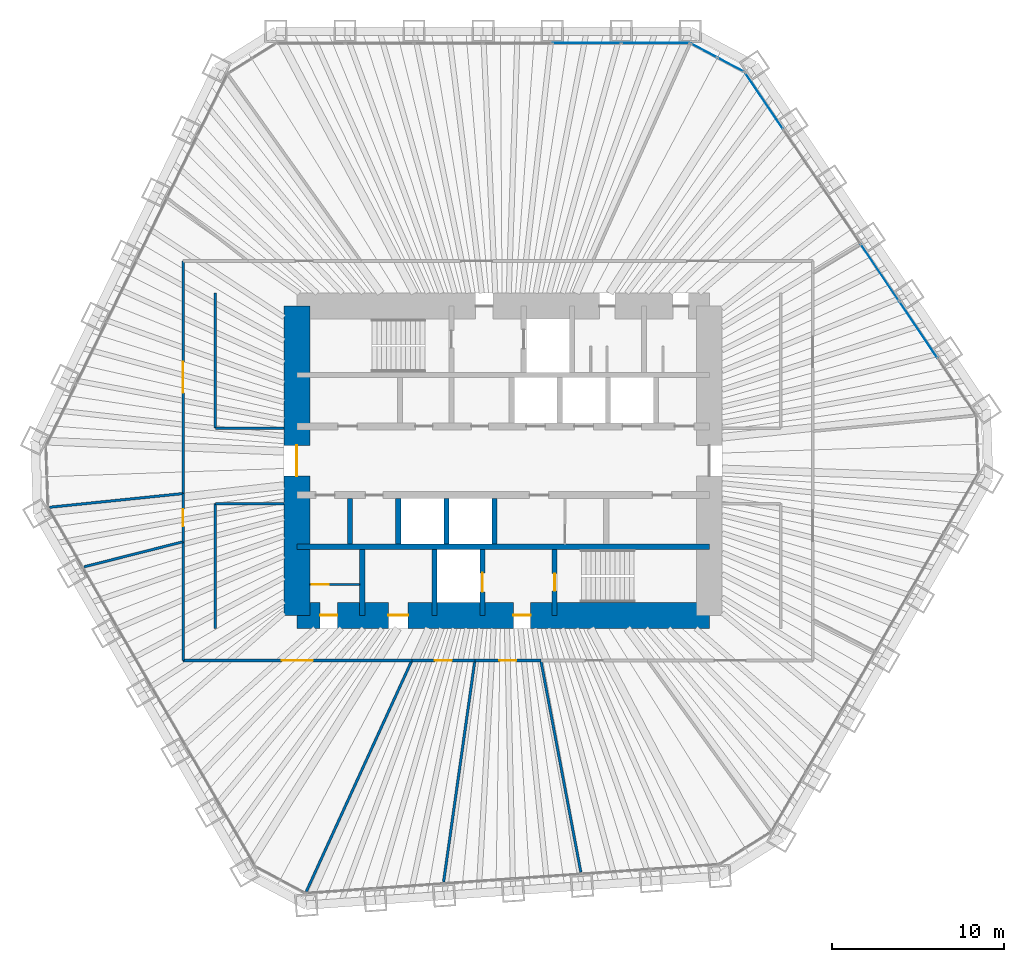
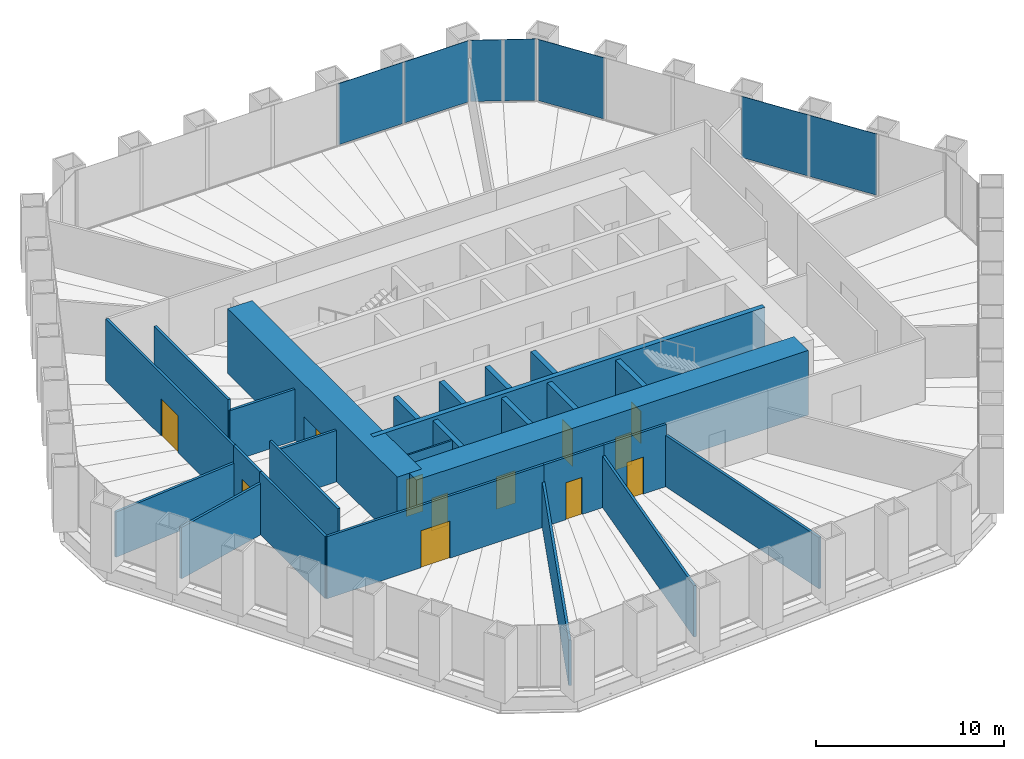
# One storey, part 10 of 13: 27 walls, 12 doors, 7 plates, 12 openings, 3 elements without a shape of their own.
"""IFC4 building model written with IfcOpenShell, lengths in metres."""

import ifcopenshell
import ifcopenshell.guid

model = None  # the IFC model being written
_history = None  # IfcOwnerHistory: only IFC2X3 demands one
_inside = {}  # id of a spatial element -> (the spatial element, [elements in it])
_under = {}  # id of a project, library or spatial element -> (it, [spatial elements below it])
_declared = {}  # id of a project -> (the project, [libraries it declares])
_typed = {}  # id of a type object -> (the type object, [elements of that type])
_made_of = {}  # id of a material, layer set ... -> (it, [elements and type objects made of it])


def new_model(schema):
    """Start an empty IFC model of exactly this schema.

    Asked for "IFC4X3", IfcOpenShell would pick the latest addendum, in which some entities
    have other attributes; the version numbers below select the first issue.
    IFC2X3 requires an IfcOwnerHistory on every rooted entity: one is made here for all.
    """
    global model, _history
    if schema == "IFC4X3":
        model = ifcopenshell.file(schema_version=(4, 3, 0, 0))
    else:
        model = ifcopenshell.file(schema=schema)
    _inside.clear()
    _under.clear()
    _declared.clear()
    _typed.clear()
    _made_of.clear()
    _history = None
    if model.schema == "IFC2X3":
        org = make("IfcOrganization", Name="unknown")
        user = make(
            "IfcPersonAndOrganization",
            ThePerson=make("IfcPerson", FamilyName="unknown"),
            TheOrganization=org,
        )
        app = make(
            "IfcApplication",
            ApplicationDeveloper=org,
            Version="unknown",
            ApplicationFullName="unknown",
            ApplicationIdentifier="unknown",
        )
        _history = make(
            "IfcOwnerHistory",
            OwningUser=user,
            OwningApplication=app,
            ChangeAction="ADDED",
            CreationDate=0,
        )
    return model


def make(cls, **values):
    """One entity of the class cls with the attributes given. An attribute that is None is left unset."""
    return model.create_entity(
        cls, **{name: value for name, value in values.items() if value is not None}
    )


def rooted(cls, **values):
    """An entity with a GlobalId (a new one), such as an element, a storey or a relation."""
    return make(cls, GlobalId=ifcopenshell.guid.new(), OwnerHistory=_history, **values)


def si_unit(unit_type, name, prefix=None):
    """IfcSIUnit, for example si_unit("LENGTHUNIT", "METRE", prefix="MILLI")."""
    return make("IfcSIUnit", UnitType=unit_type, Prefix=prefix, Name=name)


def assignment(units):
    """IfcUnitAssignment: the units of a project."""
    return None if units is None else make("IfcUnitAssignment", Units=units)


def point(xyz):
    """IfcCartesianPoint."""
    return None if xyz is None else make("IfcCartesianPoint", Coordinates=xyz)


def direction(xyz):
    """IfcDirection."""
    return None if xyz is None else make("IfcDirection", DirectionRatios=xyz)


def frame(location, z_axis=None, x_axis=None):
    """IfcAxis2Placement3D, a coordinate frame: its origin and axes. An axis left out is left unset."""
    return make(
        "IfcAxis2Placement3D",
        Location=point(location),
        Axis=direction(z_axis),
        RefDirection=direction(x_axis),
    )


def frame_2d(location, x_axis=None):
    """IfcAxis2Placement2D, a coordinate frame in the plane: its origin and x axis."""
    return make(
        "IfcAxis2Placement2D", Location=point(location), RefDirection=direction(x_axis)
    )


def origin():
    """The frame at (0, 0, 0) with its axes left unset."""
    return frame((0.0, 0.0, 0.0))


def origin_2d():
    """The frame at (0, 0) in the plane with its x axis left unset."""
    return frame_2d((0.0, 0.0))


def place(relative_to, where):
    """IfcLocalPlacement: puts the frame where relative to a parent placement (None: the world)."""
    return make(
        "IfcLocalPlacement", PlacementRelTo=relative_to, RelativePlacement=where
    )


def context(
    kind, dimensions, precision=None, world=None, true_north=None, identifier=None
):
    """IfcGeometricRepresentationContext, for example the 3D "Model" context."""
    return make(
        "IfcGeometricRepresentationContext",
        ContextIdentifier=identifier,
        ContextType=kind,
        CoordinateSpaceDimension=dimensions,
        Precision=precision,
        WorldCoordinateSystem=world,
        TrueNorth=true_north,
    )


def subcontext(parent, identifier, kind, view, scale=None):
    """IfcGeometricRepresentationSubContext, for example "Body" below "Model"."""
    return make(
        "IfcGeometricRepresentationSubContext",
        ContextIdentifier=identifier,
        ContextType=kind,
        ParentContext=parent,
        TargetScale=scale,
        TargetView=view,
    )


def project(units=None, contexts=None):
    """IfcProject with its units and contexts."""
    return rooted(
        "IfcProject",
        Name="project",
        RepresentationContexts=contexts,
        UnitsInContext=assignment(units),
    )


def spatial(cls, under=None, at=None, **own):
    """A site, building, storey or space (cls), placed at a placement, below another one or the project."""
    s = rooted(cls, ObjectPlacement=at, **own)
    if under is not None:
        _under.setdefault(under.id(), (under, []))[1].append(s)
    return s


def profile(cls, at=None, kind="AREA", **sizes):
    """A parametric profile (cls). Its sizes go by their IFC names, for example OverallWidth=200.0."""
    return make(cls, ProfileType=kind, Position=at, **sizes)


def rectangle(**sizes):
    """IfcRectangleProfileDef."""
    return profile("IfcRectangleProfileDef", **sizes)


def extrude(swept, where, along, depth):
    """IfcExtrudedAreaSolid: the profile swept, set in the frame where, extruded along a direction by depth."""
    return make(
        "IfcExtrudedAreaSolid",
        SweptArea=swept,
        Position=where,
        ExtrudedDirection=direction(along),
        Depth=depth,
    )


def shape(context_of_items, identifier, shape_type, items):
    """IfcShapeRepresentation: the items that make up one representation, for example the "Body"."""
    return make(
        "IfcShapeRepresentation",
        ContextOfItems=context_of_items,
        RepresentationIdentifier=identifier,
        RepresentationType=shape_type,
        Items=items,
    )


def material(Name=None, Category=None):
    """IfcMaterial."""
    return make("IfcMaterial", Name=Name, Category=Category)


def layer(
    of_material, thickness, ventilated=None, Name=None, Category=None, Priority=None
):
    """IfcMaterialLayer: one layer of a wall or slab, of a material (None: an air gap)."""
    return make(
        "IfcMaterialLayer",
        Material=of_material,
        LayerThickness=thickness,
        IsVentilated=ventilated,
        Name=Name,
        Category=Category,
        Priority=Priority,
    )


def layer_set(layers, Name=None):
    """IfcMaterialLayerSet."""
    return make("IfcMaterialLayerSet", MaterialLayers=layers, LayerSetName=Name)


def made_of(thing, what):
    """Note that an element or type object is made of a material, layer set ...; save() writes the relation."""
    if what is not None:
        _made_of.setdefault(what.id(), (what, []))[1].append(thing)
    return thing


def type_object(cls, material=None, **own):
    """A type object (cls), such as IfcWallType, which elements share."""
    return made_of(rooted(cls, **own), material)


def element(
    cls,
    number,
    at=None,
    inside=None,
    cuts=None,
    type_object=None,
    material=None,
    context=None,
    identifier="Body",
    shape_type=None,
    held_by="IfcProductDefinitionShape",
    body=None,
    shapes=None,
    **own,
):
    """One element of the class cls, such as IfcWall. Its Tag is "e" and its number.

    at: its placement. inside: the storey or other place that contains it. cuts: it is an
    opening in that element (IfcRelVoidsElement). A single representation is given by context,
    identifier, shape_type and body (its items); several are given by shapes. held_by: the class
    of the entity that holds the representations. save() writes the other relations.
    """
    e = rooted(cls, Tag="e%d" % number, ObjectPlacement=at, **own)
    if body is not None:
        shapes = [shape(context, identifier, shape_type, body)]
    if shapes is not None:
        e.Representation = make(held_by, Representations=shapes)
    if inside is not None:
        _inside.setdefault(inside.id(), (inside, []))[1].append(e)
    if cuts is not None:
        rooted(
            "IfcRelVoidsElement", RelatingBuildingElement=cuts, RelatedOpeningElement=e
        )
    if type_object is not None:
        _typed.setdefault(type_object.id(), (type_object, []))[1].append(e)
    return made_of(e, material)


def fill(opening, filler):
    """IfcRelFillsElement: the door or window that sits in an opening."""
    return rooted(
        "IfcRelFillsElement",
        RelatingOpeningElement=opening,
        RelatedBuildingElement=filler,
    )


def aggregate(whole, parts):
    """IfcRelAggregates: a whole, such as a stair, and the parts it consists of."""
    return rooted("IfcRelAggregates", RelatingObject=whole, RelatedObjects=parts)


def save(model, path):
    """Write the relations noted so far, then the file.

    IfcRelAggregates (storeys below a building ...), IfcRelContainedInSpatialStructure (elements
    in a storey), IfcRelDefinesByType, IfcRelAssociatesMaterial and IfcRelDeclares: one each for
    every whole, place, type object, material and project.
    """
    for whole, parts in _under.values():
        aggregate(whole, parts)
    for where, things in _inside.values():
        rooted(
            "IfcRelContainedInSpatialStructure",
            RelatedElements=things,
            RelatingStructure=where,
        )
    for kind, things in _typed.values():
        rooted("IfcRelDefinesByType", RelatedObjects=things, RelatingType=kind)
    for what, things in _made_of.values():
        rooted("IfcRelAssociatesMaterial", RelatedObjects=things, RelatingMaterial=what)
    for by, libraries in _declared.values():
        rooted("IfcRelDeclares", RelatingContext=by, RelatedDefinitions=libraries)
    model.write(path)


model = new_model("IFC4")

# Units and contexts
model_context = context("Model", 3, precision=1e-05, world=origin(), true_north=direction((0.0, 1.0)))
body_context = subcontext(model_context, "Body", "Model", "MODEL_VIEW")
ifc_project = project(units=[si_unit("LENGTHUNIT", "METRE"), si_unit("AREAUNIT", "SQUARE_METRE"), si_unit("VOLUMEUNIT", "CUBIC_METRE"), si_unit("PLANEANGLEUNIT", "RADIAN"), si_unit("MASSUNIT", "GRAM", prefix="KILO")], contexts=[model_context])

# Site, building, storey
site_placement = place(None, origin())
site = spatial("IfcSite", under=ifc_project, at=site_placement, CompositionType="ELEMENT")
building_placement = place(site_placement, origin())
building = spatial("IfcBuilding", under=site, at=building_placement, Name="Qingtian Harvest Tower", CompositionType="ELEMENT")
storey_placement = place(building_placement, frame((0.0, 0.0, 119.800048828125)))
storey = spatial("IfcBuildingStorey", under=building, at=storey_placement, Name="L24", CompositionType="ELEMENT", Elevation=119.800048828125)

# Curtain wall, plates
ifc_material_1 = material(Name="Bronze-anodised aluminium curtain wall", Category="aluminium")
curtain_wall_type = type_object("IfcCurtainWallType", Name="Curtain wall CW4 office", PredefinedType="USERDEFINED", material=ifc_material_1)
curtain_wall_1_placement = place(storey_placement, origin())
curtain_wall_1 = element("IfcCurtainWall", 1, at=curtain_wall_1_placement, inside=storey, type_object=curtain_wall_type, Name="Curtain wall CW4 L24 N0-5", ObjectType="RECESSED CURTAIN WALL", PredefinedType="USERDEFINED")
ifc_material_2 = material(Name="Bronze-tinted laminated insulating glass", Category="glass")
ifc_layer_1 = layer(ifc_material_2, 0.030029296875)
ifc_layer_set_1 = layer_set([ifc_layer_1], Name="Glazed panel CWP tinted IGU")
plate_type = type_object("IfcPlateType", Name="Glazed panel CWP tinted IGU", PredefinedType="CURTAIN_PANEL", material=ifc_layer_set_1)
plate_1_placement = place(storey_placement, frame((4.864013671875, 24.300048828125, 0.06494140625), z_axis=(0.0, 0.0, 1.0), x_axis=(1.0, 0.0, 0.0)))
plate_1 = element("IfcPlate", 2, at=plate_1_placement, type_object=plate_type, Name="CW4 panel 5.1", PredefinedType="CURTAIN_PANEL", context=body_context, shape_type="SweptSolid", body=[
    extrude(rectangle(XDim=3.9541015625, YDim=0.030029296875, at=origin_2d()), origin(), (0.0, 0.0, 1.0), 3.965087890625),
])
plate_2_placement = place(storey_placement, frame((8.866943359375, 24.300048828125, 0.06494140625), z_axis=(0.0, 0.0, 1.0), x_axis=(1.0, 0.0, 0.0)))
plate_2 = element("IfcPlate", 3, at=plate_2_placement, type_object=plate_type, Name="CW4 panel 6.1", PredefinedType="CURTAIN_PANEL", context=body_context, shape_type="SweptSolid", body=[
    extrude(rectangle(XDim=3.921630859375, YDim=0.030029296875, at=origin_2d()), origin(), (0.0, 0.0, 1.0), 3.965087890625),
])
aggregate(curtain_wall_1, [plate_1, plate_2])

curtain_wall_2_placement = place(storey_placement, origin())
curtain_wall_2 = element("IfcCurtainWall", 4, at=curtain_wall_2_placement, inside=storey, type_object=curtain_wall_type, Name="Curtain wall CW4 L24 NC", ObjectType="RECESSED CURTAIN WALL", PredefinedType="USERDEFINED")
plate_3_placement = place(storey_placement, frame((11.697509765625, 23.8720703125, 0.06494140625), z_axis=(0.0, 0.0, 1.0), x_axis=(0.882947592859, -0.469471562786, 0.0)))
plate_3 = element("IfcPlate", 5, at=plate_3_placement, type_object=plate_type, Name="CW4 panel 1.1", PredefinedType="CURTAIN_PANEL", context=body_context, shape_type="SweptSolid", body=[
    extrude(rectangle(XDim=1.69287109375, YDim=0.030029296875, at=origin_2d()), origin(), (0.0, 0.0, 1.0), 3.965087890625),
])
plate_4_placement = place(storey_placement, frame((13.249755859375, 23.046875, 0.06494140625), z_axis=(0.0, 0.0, 1.0), x_axis=(0.882947592859, -0.469471562786, 0.0)))
plate_4 = element("IfcPlate", 6, at=plate_4_placement, type_object=plate_type, Name="CW4 panel 2.1", PredefinedType="CURTAIN_PANEL", context=body_context, shape_type="SweptSolid", body=[
    extrude(rectangle(XDim=1.69287109375, YDim=0.030029296875, at=origin_2d()), origin(), (0.0, 0.0, 1.0), 3.965087890625),
])
aggregate(curtain_wall_2, [plate_3, plate_4])

curtain_wall_3_placement = place(storey_placement, origin())
curtain_wall_3 = element("IfcCurtainWall", 7, at=curtain_wall_3_placement, inside=storey, type_object=curtain_wall_type, Name="Curtain wall CW4 L24 NE0-5", ObjectType="RECESSED CURTAIN WALL", PredefinedType="USERDEFINED")
plate_5_placement = place(storey_placement, frame((15.187255859375, 20.939453125, 0.06494140625), z_axis=(0.0, 0.0, 1.0), x_axis=(0.559192903471, -0.829037572555, 0.0)))
plate_5 = element("IfcPlate", 8, at=plate_5_placement, type_object=plate_type, Name="CW4 panel 1.1", PredefinedType="CURTAIN_PANEL", context=body_context, shape_type="SweptSolid", body=[
    extrude(rectangle(XDim=3.921630859375, YDim=0.030029296875, at=origin_2d()), origin(), (0.0, 0.0, 1.0), 3.965087890625),
])
plate_6_placement = place(storey_placement, frame((21.92041015625, 10.95703125, 0.06494140625), z_axis=(0.0, 0.0, 1.0), x_axis=(0.559192903471, -0.829037572555, 0.0)))
plate_6 = element("IfcPlate", 9, at=plate_6_placement, type_object=plate_type, Name="CW4 panel 4.1", PredefinedType="CURTAIN_PANEL", context=body_context, shape_type="SweptSolid", body=[
    extrude(rectangle(XDim=3.9541015625, YDim=0.030029296875, at=origin_2d()), origin(), (0.0, 0.0, 1.0), 3.965087890625),
])
plate_7_placement = place(storey_placement, frame((24.16796875, 7.625, 0.06494140625), z_axis=(0.0, 0.0, 1.0), x_axis=(0.559192903471, -0.829037572555, 0.0)))
plate_7 = element("IfcPlate", 10, at=plate_7_placement, type_object=plate_type, Name="CW4 panel 5.1", PredefinedType="CURTAIN_PANEL", context=body_context, shape_type="SweptSolid", body=[
    extrude(rectangle(XDim=3.9541015625, YDim=0.030029296875, at=origin_2d()), origin(), (0.0, 0.0, 1.0), 3.965087890625),
])
aggregate(curtain_wall_3, [plate_5, plate_6, plate_7])

# Walls
ifc_material_3 = material(Name="Concrete fc' 70 MPa", Category="concrete")
ifc_layer_2 = layer(ifc_material_3, 0.300048828125)
ifc_layer_set_2 = layer_set([ifc_layer_2], Name="Core inner wall RC5 300")
wall_type_1 = type_object("IfcWallType", Name="Core inner wall RC5 300", PredefinedType="SHEAR", material=ifc_layer_set_2)
wall_1_placement = place(storey_placement, frame((-12.0, -5.0, 0.0), z_axis=(0.0, 0.0, 1.0), x_axis=(1.0, 0.0, 0.0)))
element("IfcWall", 11, at=wall_1_placement, inside=storey, type_object=wall_type_1, Name="Core wall IS5 L24", PredefinedType="SHEAR", context=body_context, shape_type="SweptSolid", body=[
    extrude(rectangle(XDim=24.0, YDim=0.300048828125, at=frame_2d((12.0, 0.0))), origin(), (0.0, 0.0, 1.0), 4.199951171875),
])
ifc_material_4 = material(Name="Precast concrete shaft panel", Category="concrete")
ifc_layer_3 = layer(ifc_material_4, 0.300048828125)
ifc_layer_set_3 = layer_set([ifc_layer_3], Name="Core shaft partition SW1 300")
wall_type_2 = type_object("IfcWallType", Name="Core shaft partition SW1 300", PredefinedType="PARTITIONING", material=ifc_layer_set_3)
for number, where, z_axis, x_axis, name in (
    (12, (-8.89990234375, -4.85009765625, 0.0), (0.0, 0.0, 1.0), (0.0, 1.0, 0.0), "Core shaft partition XB1 L24"),
    (13, (-6.10009765625, -4.85009765625, 0.0), (0.0, 0.0, 1.0), (0.0, 1.0, 0.0), "Core shaft partition XB2 L24"),
    (14, (-3.300048828125, -4.85009765625, 0.0), (0.0, 0.0, 1.0), (0.0, 1.0, 0.0), "Core shaft partition XB3 L24"),
    (15, (-0.5, -4.85009765625, 0.0), (0.0, 0.0, 1.0), (0.0, 1.0, 0.0), "Core shaft partition XB4 L24"),
):
    element("IfcWall", number, at=place(storey_placement, frame(where, z_axis=z_axis, x_axis=x_axis)), inside=storey, type_object=wall_type_2, Name=name, PredefinedType="PARTITIONING", context=body_context, shape_type="SweptSolid", body=[
        extrude(rectangle(XDim=2.650146484375, YDim=0.300048828125, at=frame_2d((1.3251953125, 0.0))), origin(), (0.0, 0.0, 1.0), 3.97998046875),
    ])
for number, where, z_axis, x_axis, name in (
    (16, (-8.199951171875, -9.0, 0.0), (0.0, 0.0, 1.0), (0.0, 1.0, 0.0), "Core shaft partition XS1 L24"),
    (17, (-4.0, -9.0, 0.0), (0.0, 0.0, 1.0), (0.0, 1.0, 0.0), "Core shaft partition XS2 L24"),
):
    element("IfcWall", number, at=place(storey_placement, frame(where, z_axis=z_axis, x_axis=x_axis)), inside=storey, type_object=wall_type_2, Name=name, PredefinedType="PARTITIONING", context=body_context, shape_type="SweptSolid", body=[
        extrude(rectangle(XDim=3.85009765625, YDim=0.300048828125, at=frame_2d((1.925048828125, 0.0))), origin(), (0.0, 0.0, 1.0), 3.97998046875),
    ])

# Wall, opening, door
wall_2_placement = place(storey_placement, frame((-1.199951171875, -9.0, 0.0), z_axis=(0.0, 0.0, 1.0), x_axis=(0.0, 1.0, 0.0)))
wall_2 = element("IfcWall", 18, at=wall_2_placement, inside=storey, type_object=wall_type_2, Name="Core shaft partition XS3 L24", PredefinedType="PARTITIONING", context=body_context, shape_type="SweptSolid", body=[
    extrude(rectangle(XDim=3.85009765625, YDim=0.300048828125, at=frame_2d((1.925048828125, 0.0))), origin(), (0.0, 0.0, 1.0), 3.97998046875),
])
opening_1_placement = place(wall_2_placement, frame((1.375, 0.0, 0.0)))
opening_1 = element("IfcOpeningElement", 19, at=opening_1_placement, cuts=wall_2, Name="Opening LD1", PredefinedType="OPENING", context=body_context, shape_type="SweptSolid", body=[
    extrude(rectangle(XDim=1.10009765625, YDim=2.39990234375, at=frame_2d((0.550048828125, 1.199951171875))), frame((0.0, 0.159912109375, 0.0), z_axis=(0.0, -1.0, 0.0), x_axis=(1.0, 0.0, 0.0)), (0.0, 0.0, 1.0), 0.320068359375),
])
ifc_material_5 = material(Name="Stainless steel lift landing door", Category="steel")
door_type_1 = type_object("IfcDoorType", Name="Lift landing door LD1 1 HR", OperationType="DOUBLE_DOOR_SLIDING", PredefinedType="DOOR", material=ifc_material_5)
door_1_placement = place(opening_1_placement, origin())
door_1 = element("IfcDoor", 20, at=door_1_placement, inside=storey, type_object=door_type_1, Name="FL2 landing door L24", OperationType="DOUBLE_DOOR_SLIDING", OverallHeight=2.39990234375, OverallWidth=1.10009765625, PredefinedType="DOOR", context=body_context, shape_type="SweptSolid", body=[
    extrude(rectangle(XDim=1.10009765625, YDim=2.39990234375, at=frame_2d((0.550048828125, 1.199951171875))), frame((0.0, 0.02490234375, 0.0), z_axis=(0.0, -1.0, 0.0), x_axis=(1.0, 0.0, 0.0)), (0.0, 0.0, 1.0), 0.050048828125),
])
fill(opening_1, door_1)

wall_3_placement = place(storey_placement, frame((3.0, -9.0, 0.0), z_axis=(0.0, 0.0, 1.0), x_axis=(0.0, 1.0, 0.0)))
wall_3 = element("IfcWall", 21, at=wall_3_placement, inside=storey, type_object=wall_type_2, Name="Core shaft partition XS4 L24", PredefinedType="PARTITIONING", context=body_context, shape_type="SweptSolid", body=[
    extrude(rectangle(XDim=3.85009765625, YDim=0.300048828125, at=frame_2d((1.925048828125, 0.0))), origin(), (0.0, 0.0, 1.0), 3.97998046875),
])
opening_2_placement = place(wall_3_placement, frame((1.425048828125, 0.0, 0.0)))
opening_2 = element("IfcOpeningElement", 22, at=opening_2_placement, cuts=wall_3, Name="Opening FD1", PredefinedType="OPENING", context=body_context, shape_type="SweptSolid", body=[
    extrude(rectangle(XDim=1.0, YDim=2.10009765625, at=frame_2d((0.5, 1.050048828125))), frame((0.0, 0.159912109375, 0.0), z_axis=(0.0, -1.0, 0.0), x_axis=(1.0, 0.0, 0.0)), (0.0, 0.0, 1.0), 0.320068359375),
])
ifc_material_6 = material(Name="Steel-faced door leaf", Category="steel")
door_type_2 = type_object("IfcDoorType", Name="Fire door FD1 single 1 HR", OperationType="SINGLE_SWING_LEFT", PredefinedType="DOOR", material=ifc_material_6)
door_2_placement = place(opening_2_placement, origin())
door_2 = element("IfcDoor", 23, at=door_2_placement, inside=storey, type_object=door_type_2, Name="S2 door L24", OperationType="SINGLE_SWING_LEFT", OverallHeight=2.10009765625, OverallWidth=1.0, PredefinedType="DOOR", context=body_context, shape_type="SweptSolid", body=[
    extrude(rectangle(XDim=1.0, YDim=2.10009765625, at=frame_2d((0.5, 1.050048828125))), frame((0.0, 0.02490234375, 0.0), z_axis=(0.0, -1.0, 0.0), x_axis=(1.0, 0.0, 0.0)), (0.0, 0.0, 1.0), 0.050048828125),
])
fill(opening_2, door_2)

# Wall, openings, doors
ifc_material_7 = material(Name="Concrete fc' 70 MPa", Category="concrete")
ifc_layer_4 = layer(ifc_material_7, 1.5)
ifc_layer_set_4 = layer_set([ifc_layer_4], Name="Core wall RC1 1500")
wall_type_3 = type_object("IfcWallType", Name="Core wall RC1 1500", PredefinedType="SHEAR", material=ifc_layer_set_4)
wall_4_placement = place(storey_placement, frame((-12.0, -9.0, 0.0), z_axis=(0.0, 0.0, 1.0), x_axis=(1.0, 0.0, 0.0)))
wall_4 = element("IfcWall", 24, at=wall_4_placement, inside=storey, type_object=wall_type_3, Name="Core wall CS L24", PredefinedType="SHEAR", context=body_context, shape_type="SweptSolid", body=[
    extrude(rectangle(XDim=24.0, YDim=1.5, at=frame_2d((12.0, 0.0))), origin(), (0.0, 0.0, 1.0), 4.199951171875),
])
opening_3_placement = place(wall_4_placement, frame((1.35009765625, 0.0, 0.0)))
opening_3 = element("IfcOpeningElement", 25, at=opening_3_placement, cuts=wall_4, Name="Opening FD1", PredefinedType="OPENING", context=body_context, shape_type="SweptSolid", body=[
    extrude(rectangle(XDim=1.0, YDim=2.10009765625, at=frame_2d((0.5, 1.050048828125))), frame((0.0, 0.760009765625, 0.0), z_axis=(0.0, -1.0, 0.0), x_axis=(1.0, 0.0, 0.0)), (0.0, 0.0, 1.0), 1.52001953125),
])
opening_4_placement = place(wall_4_placement, frame((5.324951171875, 0.0, 0.0)))
opening_4 = element("IfcOpeningElement", 26, at=opening_4_placement, cuts=wall_4, Name="Opening AD1", PredefinedType="OPENING", context=body_context, shape_type="SweptSolid", body=[
    extrude(rectangle(XDim=1.14990234375, YDim=2.10009765625, at=frame_2d((0.574951171875, 1.050048828125))), frame((0.0, 0.760009765625, 0.0), z_axis=(0.0, -1.0, 0.0), x_axis=(1.0, 0.0, 0.0)), (0.0, 0.0, 1.0), 1.52001953125),
])
opening_5_placement = place(wall_4_placement, frame((12.60009765625, 0.0, 0.0)))
opening_5 = element("IfcOpeningElement", 27, at=opening_5_placement, cuts=wall_4, Name="Opening FD1", PredefinedType="OPENING", context=body_context, shape_type="SweptSolid", body=[
    extrude(rectangle(XDim=1.0, YDim=2.10009765625, at=frame_2d((0.5, 1.050048828125))), frame((0.0, 0.760009765625, 0.0), z_axis=(0.0, -1.0, 0.0), x_axis=(1.0, 0.0, 0.0)), (0.0, 0.0, 1.0), 1.52001953125),
])
ifc_material_8 = material(Name="Laminated timber door leaf", Category="wood")
door_type_3 = type_object("IfcDoorType", Name="Accessible WC door AD1 single", OperationType="SINGLE_SWING_LEFT", PredefinedType="DOOR", material=ifc_material_8)
door_3_placement = place(opening_4_placement, origin())
door_3 = element("IfcDoor", 28, at=door_3_placement, inside=storey, type_object=door_type_3, Name="AWC door L24", OperationType="SINGLE_SWING_LEFT", OverallHeight=2.10009765625, OverallWidth=1.14990234375, PredefinedType="DOOR", context=body_context, shape_type="SweptSolid", body=[
    extrude(rectangle(XDim=1.14990234375, YDim=2.10009765625, at=frame_2d((0.574951171875, 1.050048828125))), frame((0.0, 0.02490234375, 0.0), z_axis=(0.0, -1.0, 0.0), x_axis=(1.0, 0.0, 0.0)), (0.0, 0.0, 1.0), 0.050048828125),
])
fill(opening_4, door_3)
door_4_placement = place(opening_3_placement, origin())
door_4 = element("IfcDoor", 29, at=door_4_placement, inside=storey, type_object=door_type_2, Name="CLN door L24", OperationType="SINGLE_SWING_RIGHT", OverallHeight=2.10009765625, OverallWidth=1.0, PredefinedType="DOOR", context=body_context, shape_type="SweptSolid", body=[
    extrude(rectangle(XDim=1.0, YDim=2.10009765625, at=frame_2d((0.5, 1.050048828125))), frame((0.0, 0.02490234375, 0.0), z_axis=(0.0, -1.0, 0.0), x_axis=(1.0, 0.0, 0.0)), (0.0, 0.0, 1.0), 0.050048828125),
])
fill(opening_3, door_4)
door_5_placement = place(opening_5_placement, origin())
door_5 = element("IfcDoor", 30, at=door_5_placement, inside=storey, type_object=door_type_2, Name="V2 door L24", OperationType="SINGLE_SWING_LEFT", OverallHeight=2.10009765625, OverallWidth=1.0, PredefinedType="DOOR", context=body_context, shape_type="SweptSolid", body=[
    extrude(rectangle(XDim=1.0, YDim=2.10009765625, at=frame_2d((0.5, 1.050048828125))), frame((0.0, 0.02490234375, 0.0), z_axis=(0.0, -1.0, 0.0), x_axis=(1.0, 0.0, 0.0)), (0.0, 0.0, 1.0), 0.050048828125),
])
fill(opening_5, door_5)

# Wall, opening, door
wall_5_placement = place(storey_placement, frame((-12.0, -9.0, 0.0), z_axis=(0.0, 0.0, 1.0), x_axis=(0.0, 1.0, 0.0)))
wall_5 = element("IfcWall", 31, at=wall_5_placement, inside=storey, type_object=wall_type_3, Name="Core wall CW L24", PredefinedType="SHEAR", context=body_context, shape_type="SweptSolid", body=[
    extrude(rectangle(XDim=18.0, YDim=1.5, at=frame_2d((9.0, 0.0))), origin(), (0.0, 0.0, 1.0), 4.199951171875),
])
opening_6_placement = place(wall_5_placement, frame((8.10009765625, 0.0, 0.0)))
opening_6 = element("IfcOpeningElement", 32, at=opening_6_placement, cuts=wall_5, Name="Opening FD2", PredefinedType="OPENING", context=body_context, shape_type="SweptSolid", body=[
    extrude(rectangle(XDim=1.800048828125, YDim=2.10009765625, at=frame_2d((0.89990234375, 1.050048828125))), frame((0.0, 0.760009765625, 0.0), z_axis=(0.0, -1.0, 0.0), x_axis=(1.0, 0.0, 0.0)), (0.0, 0.0, 1.0), 1.52001953125),
])
ifc_material_9 = material(Name="Steel-faced door leaf", Category="steel")
door_type_4 = type_object("IfcDoorType", Name="Fire door FD2 double 1 HR", OperationType="DOUBLE_DOOR_DOUBLE_SWING", PredefinedType="DOOR", material=ifc_material_9)
door_6_placement = place(opening_6_placement, origin())
door_6 = element("IfcDoor", 33, at=door_6_placement, inside=storey, type_object=door_type_4, Name="LOBBY-W door L24", OperationType="DOUBLE_DOOR_DOUBLE_SWING", OverallHeight=2.10009765625, OverallWidth=1.800048828125, PredefinedType="DOOR", context=body_context, shape_type="SweptSolid", body=[
    extrude(rectangle(XDim=1.800048828125, YDim=2.10009765625, at=frame_2d((0.89990234375, 1.050048828125))), frame((0.0, 0.02490234375, 0.0), z_axis=(0.0, -1.0, 0.0), x_axis=(1.0, 0.0, 0.0)), (0.0, 0.0, 1.0), 0.050048828125),
])
fill(opening_6, door_6)

# Wall
ifc_material_10 = material(Name="Gypsum board on steel studs", Category="steel")
ifc_layer_5 = layer(ifc_material_10, 0.14990234375)
ifc_layer_set_5 = layer_set([ifc_layer_5], Name="Partition PT1 150")
wall_type_4 = type_object("IfcWallType", Name="Partition PT1 150", PredefinedType="PARTITIONING", material=ifc_layer_set_5)
wall_6_placement = place(storey_placement, frame((4.524169921875, -23.943359375, 0.0), z_axis=(0.0, 0.0, 1.0), x_axis=(-0.185671124909, 0.98261194445, 0.0)))
element("IfcWall", 34, at=wall_6_placement, inside=storey, type_object=wall_type_4, Name="Focus room wall L24", PredefinedType="PARTITIONING", context=body_context, shape_type="SweptSolid", body=[
    extrude(rectangle(XDim=12.536376953125, YDim=0.14990234375, at=frame_2d((6.26806640625, 0.0))), origin(), (0.0, 0.0, 1.0), 3.329833984375),
])

# Wall, opening, door
wall_7_placement = place(storey_placement, frame((2.196533203125, -11.625, 0.0), z_axis=(0.0, 0.0, 1.0), x_axis=(-1.0, 0.0, 0.0)))
wall_7 = element("IfcWall", 35, at=wall_7_placement, inside=storey, type_object=wall_type_4, Name="Focus room wall L24", PredefinedType="PARTITIONING", context=body_context, shape_type="SweptSolid", body=[
    extrude(rectangle(XDim=3.8388671875, YDim=0.14990234375, at=frame_2d((1.91943359375, 0.0))), origin(), (0.0, 0.0, 1.0), 4.030029296875),
])
opening_7_placement = place(wall_7_placement, frame((1.41943359375, 0.0, 0.0)))
opening_7 = element("IfcOpeningElement", 36, at=opening_7_placement, cuts=wall_7, Name="Opening D2", PredefinedType="OPENING", context=body_context, shape_type="SweptSolid", body=[
    extrude(rectangle(XDim=1.0, YDim=2.39990234375, at=frame_2d((0.5, 1.199951171875))), frame((0.0, 0.0849609375, 0.0), z_axis=(0.0, -1.0, 0.0), x_axis=(1.0, 0.0, 0.0)), (0.0, 0.0, 1.0), 0.169921875),
])
ifc_material_11 = material(Name="Laminated timber door leaf", Category="wood")
door_type_5 = type_object("IfcDoorType", Name="Room door D2 single", OperationType="SINGLE_SWING_LEFT", PredefinedType="DOOR", material=ifc_material_11)
door_7_placement = place(opening_7_placement, origin())
door_7 = element("IfcDoor", 37, at=door_7_placement, inside=storey, type_object=door_type_5, Name="Focus room door L24", OperationType="SINGLE_SWING_LEFT", OverallHeight=2.39990234375, OverallWidth=1.0, PredefinedType="DOOR", context=body_context, shape_type="SweptSolid", body=[
    extrude(rectangle(XDim=1.0, YDim=2.39990234375, at=frame_2d((0.5, 1.199951171875))), frame((0.0, 0.02490234375, 0.0), z_axis=(0.0, -1.0, 0.0), x_axis=(1.0, 0.0, 0.0)), (0.0, 0.0, 1.0), 0.050048828125),
])
fill(opening_7, door_7)

# Wall
wall_8_placement = place(storey_placement, frame((-3.4619140625, -24.50341796875, 0.0), z_axis=(0.0, 0.0, 1.0), x_axis=(0.139899618934, 0.990165691499, 0.0)))
element("IfcWall", 38, at=wall_8_placement, inside=storey, type_object=wall_type_4, Name="Print room wall L24", PredefinedType="PARTITIONING", context=body_context, shape_type="SweptSolid", body=[
    extrude(rectangle(XDim=13.00634765625, YDim=0.14990234375, at=frame_2d((6.503173828125, 0.0))), origin(), (0.0, 0.0, 1.0), 3.329833984375),
])

# Wall, opening, door
wall_9_placement = place(storey_placement, frame((-1.642333984375, -11.625, 0.0), z_axis=(0.0, 0.0, 1.0), x_axis=(-1.0, 0.0, 0.0)))
wall_9 = element("IfcWall", 39, at=wall_9_placement, inside=storey, type_object=wall_type_4, Name="Print room wall L24", PredefinedType="PARTITIONING", context=body_context, shape_type="SweptSolid", body=[
    extrude(rectangle(XDim=3.66796875, YDim=0.14990234375, at=frame_2d((1.833984375, 0.0))), origin(), (0.0, 0.0, 1.0), 4.030029296875),
])
opening_8_placement = place(wall_9_placement, frame((1.333984375, 0.0, 0.0)))
opening_8 = element("IfcOpeningElement", 40, at=opening_8_placement, cuts=wall_9, Name="Opening D2", PredefinedType="OPENING", context=body_context, shape_type="SweptSolid", body=[
    extrude(rectangle(XDim=1.0, YDim=2.39990234375, at=frame_2d((0.5, 1.199951171875))), frame((0.0, 0.0849609375, 0.0), z_axis=(0.0, -1.0, 0.0), x_axis=(1.0, 0.0, 0.0)), (0.0, 0.0, 1.0), 0.169921875),
])
door_8_placement = place(opening_8_placement, origin())
door_8 = element("IfcDoor", 41, at=door_8_placement, inside=storey, type_object=door_type_5, Name="Print room door L24", OperationType="SINGLE_SWING_LEFT", OverallHeight=2.39990234375, OverallWidth=1.0, PredefinedType="DOOR", context=body_context, shape_type="SweptSolid", body=[
    extrude(rectangle(XDim=1.0, YDim=2.39990234375, at=frame_2d((0.5, 1.199951171875))), frame((0.0, 0.02490234375, 0.0), z_axis=(0.0, -1.0, 0.0), x_axis=(1.0, 0.0, 0.0)), (0.0, 0.0, 1.0), 0.050048828125),
])
fill(opening_8, door_8)

# Wall
wall_10_placement = place(storey_placement, frame((-11.452880859375, -25.072265625, 0.0), z_axis=(0.0, 0.0, 1.0), x_axis=(0.415494357555, 0.909595755729, 0.0)))
element("IfcWall", 42, at=wall_10_placement, inside=storey, type_object=wall_type_4, Name="Office suite wall L24", PredefinedType="PARTITIONING", context=body_context, shape_type="SweptSolid", body=[
    extrude(rectangle(XDim=14.78369140625, YDim=0.14990234375, at=frame_2d((7.391845703125, 0.0))), origin(), (0.0, 0.0, 1.0), 2.929931640625),
])

# Wall, opening, door
wall_11_placement = place(storey_placement, frame((-5.310302734375, -11.625, 0.0), z_axis=(0.0, 0.0, 1.0), x_axis=(-1.0, 0.0, 0.0)))
wall_11 = element("IfcWall", 43, at=wall_11_placement, inside=storey, type_object=wall_type_4, Name="Office suite wall L24", PredefinedType="PARTITIONING", context=body_context, shape_type="SweptSolid", body=[
    extrude(rectangle(XDim=13.314697265625, YDim=0.14990234375, at=frame_2d((6.6572265625, 0.0))), origin(), (0.0, 0.0, 1.0), 4.030029296875),
])
opening_9_placement = place(wall_11_placement, frame((5.75732421875, 0.0, 0.0)))
opening_9 = element("IfcOpeningElement", 44, at=opening_9_placement, cuts=wall_11, Name="Opening D3", PredefinedType="OPENING", context=body_context, shape_type="SweptSolid", body=[
    extrude(rectangle(XDim=1.800048828125, YDim=2.39990234375, at=frame_2d((0.89990234375, 1.199951171875))), frame((0.0, 0.0849609375, 0.0), z_axis=(0.0, -1.0, 0.0), x_axis=(1.0, 0.0, 0.0)), (0.0, 0.0, 1.0), 0.169921875),
])
ifc_material_12 = material(Name="Laminated timber door leaf", Category="wood")
door_type_6 = type_object("IfcDoorType", Name="Room door D3 double", OperationType="DOUBLE_DOOR_DOUBLE_SWING", PredefinedType="DOOR", material=ifc_material_12)
door_9_placement = place(opening_9_placement, origin())
door_9 = element("IfcDoor", 45, at=door_9_placement, inside=storey, type_object=door_type_6, Name="Office suite door L24", OperationType="DOUBLE_DOOR_DOUBLE_SWING", OverallHeight=2.39990234375, OverallWidth=1.800048828125, PredefinedType="DOOR", context=body_context, shape_type="SweptSolid", body=[
    extrude(rectangle(XDim=1.800048828125, YDim=2.39990234375, at=frame_2d((0.89990234375, 1.199951171875))), frame((0.0, 0.02490234375, 0.0), z_axis=(0.0, -1.0, 0.0), x_axis=(1.0, 0.0, 0.0)), (0.0, 0.0, 1.0), 0.050048828125),
])
fill(opening_9, door_9)

# Walls
wall_12_placement = place(storey_placement, frame((-18.625, -11.625, 0.0), z_axis=(0.0, 0.0, 1.0), x_axis=(0.0, 1.0, 0.0)))
element("IfcWall", 46, at=wall_12_placement, inside=storey, type_object=wall_type_4, Name="Office suite wall L24", PredefinedType="PARTITIONING", context=body_context, shape_type="SweptSolid", body=[
    extrude(rectangle(XDim=6.91015625, YDim=0.14990234375, at=frame_2d((3.455078125, 0.0))), origin(), (0.0, 0.0, 1.0), 4.030029296875),
])
wall_13_placement = place(storey_placement, frame((-24.38427734375, -6.172607421875, 0.0), z_axis=(0.0, 0.0, 1.0), x_axis=(0.969427635767, 0.245377380804, 0.0)))
element("IfcWall", 47, at=wall_13_placement, inside=storey, type_object=wall_type_4, Name="Store room wall L24", PredefinedType="PARTITIONING", context=body_context, shape_type="SweptSolid", body=[
    extrude(rectangle(XDim=5.94091796875, YDim=0.14990234375, at=frame_2d((2.970458984375, 0.0))), origin(), (0.0, 0.0, 1.0), 3.329833984375),
])

# Wall, opening, door
wall_14_placement = place(storey_placement, frame((-18.625, -4.71484375, 0.0), z_axis=(0.0, 0.0, 1.0), x_axis=(0.0, 1.0, 0.0)))
wall_14 = element("IfcWall", 48, at=wall_14_placement, inside=storey, type_object=wall_type_4, Name="Store room wall L24", PredefinedType="PARTITIONING", context=body_context, shape_type="SweptSolid", body=[
    extrude(rectangle(XDim=2.804931640625, YDim=0.14990234375, at=frame_2d((1.40234375, 0.0))), origin(), (0.0, 0.0, 1.0), 4.030029296875),
])
opening_10_placement = place(wall_14_placement, frame((0.90234375, 0.0, 0.0)))
opening_10 = element("IfcOpeningElement", 49, at=opening_10_placement, cuts=wall_14, Name="Opening D2", PredefinedType="OPENING", context=body_context, shape_type="SweptSolid", body=[
    extrude(rectangle(XDim=1.0, YDim=2.39990234375, at=frame_2d((0.5, 1.199951171875))), frame((0.0, 0.0849609375, 0.0), z_axis=(0.0, -1.0, 0.0), x_axis=(1.0, 0.0, 0.0)), (0.0, 0.0, 1.0), 0.169921875),
])
door_10_placement = place(opening_10_placement, origin())
door_10 = element("IfcDoor", 50, at=door_10_placement, inside=storey, type_object=door_type_5, Name="Store room door L24", OperationType="SINGLE_SWING_LEFT", OverallHeight=2.39990234375, OverallWidth=1.0, PredefinedType="DOOR", context=body_context, shape_type="SweptSolid", body=[
    extrude(rectangle(XDim=1.0, YDim=2.39990234375, at=frame_2d((0.5, 1.199951171875))), frame((0.0, 0.02490234375, 0.0), z_axis=(0.0, -1.0, 0.0), x_axis=(1.0, 0.0, 0.0)), (0.0, 0.0, 1.0), 0.050048828125),
])
fill(opening_10, door_10)

# Wall
wall_15_placement = place(storey_placement, frame((-26.391357421875, -2.706298828125, 0.0), z_axis=(0.0, 0.0, 1.0), x_axis=(0.994783554373, 0.10200823471, 0.0)))
element("IfcWall", 51, at=wall_15_placement, inside=storey, type_object=wall_type_4, Name="Meeting room wall L24", PredefinedType="PARTITIONING", context=body_context, shape_type="SweptSolid", body=[
    extrude(rectangle(XDim=7.80712890625, YDim=0.14990234375, at=frame_2d((3.903564453125, 0.0))), origin(), (0.0, 0.0, 1.0), 2.929931640625),
])

# Wall, opening, door
wall_16_placement = place(storey_placement, frame((-18.625, -1.909912109375, 0.0), z_axis=(0.0, 0.0, 1.0), x_axis=(0.0, 1.0, 0.0)))
wall_16 = element("IfcWall", 52, at=wall_16_placement, inside=storey, type_object=wall_type_4, Name="Meeting room wall L24", PredefinedType="PARTITIONING", context=body_context, shape_type="SweptSolid", body=[
    extrude(rectangle(XDim=13.534912109375, YDim=0.14990234375, at=frame_2d((6.767578125, 0.0))), origin(), (0.0, 0.0, 1.0), 4.030029296875),
])
opening_11_placement = place(wall_16_placement, frame((5.867431640625, 0.0, 0.0)))
opening_11 = element("IfcOpeningElement", 53, at=opening_11_placement, cuts=wall_16, Name="Opening D3", PredefinedType="OPENING", context=body_context, shape_type="SweptSolid", body=[
    extrude(rectangle(XDim=1.800048828125, YDim=2.39990234375, at=frame_2d((0.89990234375, 1.199951171875))), frame((0.0, 0.0849609375, 0.0), z_axis=(0.0, -1.0, 0.0), x_axis=(1.0, 0.0, 0.0)), (0.0, 0.0, 1.0), 0.169921875),
])
door_11_placement = place(opening_11_placement, origin())
door_11 = element("IfcDoor", 54, at=door_11_placement, inside=storey, type_object=door_type_6, Name="Meeting room door L24", OperationType="DOUBLE_DOOR_DOUBLE_SWING", OverallHeight=2.39990234375, OverallWidth=1.800048828125, PredefinedType="DOOR", context=body_context, shape_type="SweptSolid", body=[
    extrude(rectangle(XDim=1.800048828125, YDim=2.39990234375, at=frame_2d((0.89990234375, 1.199951171875))), frame((0.0, 0.02490234375, 0.0), z_axis=(0.0, -1.0, 0.0), x_axis=(1.0, 0.0, 0.0)), (0.0, 0.0, 1.0), 0.050048828125),
])
fill(opening_11, door_11)

# Walls
wall_17_placement = place(storey_placement, frame((-16.75, 1.89990234375, 0.0), z_axis=(0.0, 0.0, 1.0), x_axis=(0.0, 1.0, 0.0)))
element("IfcWall", 55, at=wall_17_placement, inside=storey, type_object=wall_type_4, Name="Reading area wall L24", PredefinedType="PARTITIONING", context=body_context, shape_type="SweptSolid", body=[
    extrude(rectangle(XDim=7.85009765625, YDim=0.14990234375, at=frame_2d((3.925048828125, 0.0))), origin(), (0.0, 0.0, 1.0), 4.030029296875),
])
wall_18_placement = place(storey_placement, frame((-12.75, 1.89990234375, 0.0), z_axis=(0.0, 0.0, 1.0), x_axis=(-1.0, 0.0, 0.0)))
element("IfcWall", 56, at=wall_18_placement, inside=storey, type_object=wall_type_4, Name="Reading area wall L24", PredefinedType="PARTITIONING", context=body_context, shape_type="SweptSolid", body=[
    extrude(rectangle(XDim=4.0, YDim=0.14990234375, at=frame_2d((2.0, 0.0))), origin(), (0.0, 0.0, 1.0), 3.329833984375),
])
wall_19_placement = place(storey_placement, frame((-16.75, -9.75, 0.0), z_axis=(0.0, 0.0, 1.0), x_axis=(0.0, 1.0, 0.0)))
element("IfcWall", 57, at=wall_19_placement, inside=storey, type_object=wall_type_4, Name="Coffee point wall L24", PredefinedType="PARTITIONING", context=body_context, shape_type="SweptSolid", body=[
    extrude(rectangle(XDim=7.25, YDim=0.14990234375, at=frame_2d((3.625, 0.0))), origin(), (0.0, 0.0, 1.0), 4.030029296875),
])
wall_20_placement = place(storey_placement, frame((-12.75, -2.5, 0.0), z_axis=(0.0, 0.0, 1.0), x_axis=(-1.0, 0.0, 0.0)))
element("IfcWall", 58, at=wall_20_placement, inside=storey, type_object=wall_type_4, Name="Coffee point wall L24", PredefinedType="PARTITIONING", context=body_context, shape_type="SweptSolid", body=[
    extrude(rectangle(XDim=4.0, YDim=0.14990234375, at=frame_2d((2.0, 0.0))), origin(), (0.0, 0.0, 1.0), 3.329833984375),
])

# Wall, opening, door
ifc_material_13 = material(Name="Concrete block partition", Category="concrete")
ifc_layer_6 = layer(ifc_material_13, 0.10009765625)
ifc_layer_set_6 = layer_set([ifc_layer_6], Name="Store partition PT3 100")
wall_type_5 = type_object("IfcWallType", Name="Store partition PT3 100", PredefinedType="PARTITIONING", material=ifc_layer_set_6)
wall_21_placement = place(storey_placement, frame((-11.25, -7.199951171875, 0.0), z_axis=(0.0, 0.0, 1.0), x_axis=(1.0, 0.0, 0.0)))
wall_21 = element("IfcWall", 59, at=wall_21_placement, inside=storey, type_object=wall_type_5, Name="Waste store wall L24", PredefinedType="PARTITIONING", context=body_context, shape_type="SweptSolid", body=[
    extrude(rectangle(XDim=2.89990234375, YDim=0.10009765625, at=frame_2d((1.449951171875, 0.0))), origin(), (0.0, 0.0, 1.0), 3.97998046875),
])
opening_12_placement = place(wall_21_placement, frame((0.10009765625, 0.0, 0.0)))
opening_12 = element("IfcOpeningElement", 60, at=opening_12_placement, cuts=wall_21, Name="Opening D2", PredefinedType="OPENING", context=body_context, shape_type="SweptSolid", body=[
    extrude(rectangle(XDim=1.0, YDim=2.39990234375, at=frame_2d((0.5, 1.199951171875))), frame((0.0, 0.06005859375, 0.0), z_axis=(0.0, -1.0, 0.0), x_axis=(1.0, 0.0, 0.0)), (0.0, 0.0, 1.0), 0.1201171875),
])
door_12_placement = place(opening_12_placement, origin())
door_12 = element("IfcDoor", 61, at=door_12_placement, inside=storey, type_object=door_type_5, Name="Waste store door L24", OperationType="SINGLE_SWING_RIGHT", OverallHeight=2.39990234375, OverallWidth=1.0, PredefinedType="DOOR", context=body_context, shape_type="SweptSolid", body=[
    extrude(rectangle(XDim=1.0, YDim=2.39990234375, at=frame_2d((0.5, 1.199951171875))), frame((0.0, 0.02490234375, 0.0), z_axis=(0.0, -1.0, 0.0), x_axis=(1.0, 0.0, 0.0)), (0.0, 0.0, 1.0), 0.050048828125),
])
fill(opening_12, door_12)

save(model, "model.ifc")
